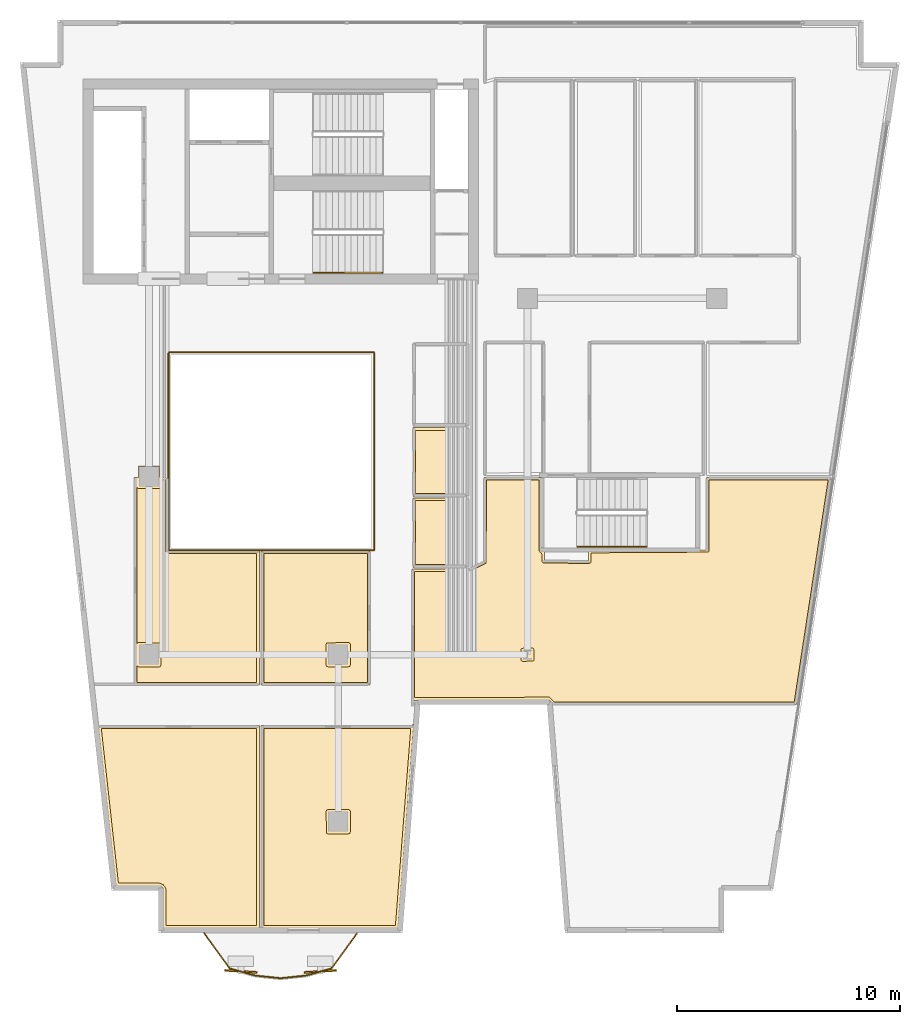
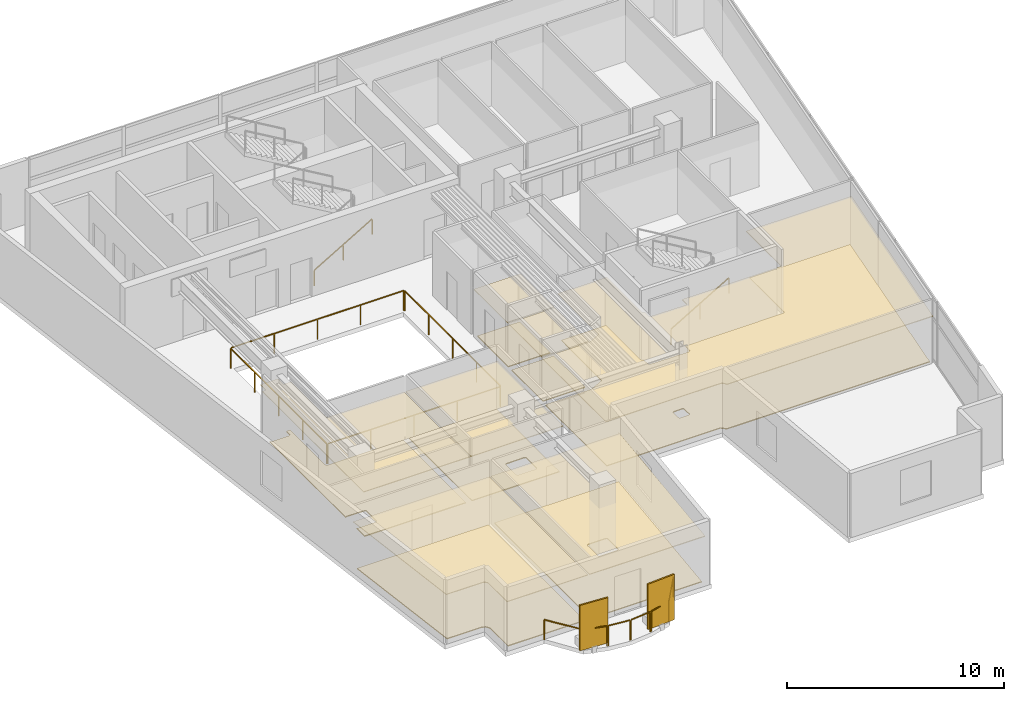
# One storey, part 7 of 8: 14 coverings, 12 railings, 2 shading devices.
"""IFC4 building model written with IfcOpenShell, lengths in metres."""

import ifcopenshell
import ifcopenshell.guid

model = None  # the IFC model being written
_history = None  # IfcOwnerHistory: only IFC2X3 demands one
_inside = {}  # id of a spatial element -> (the spatial element, [elements in it])
_under = {}  # id of a project, library or spatial element -> (it, [spatial elements below it])
_declared = {}  # id of a project -> (the project, [libraries it declares])
_typed = {}  # id of a type object -> (the type object, [elements of that type])
_made_of = {}  # id of a material, layer set ... -> (it, [elements and type objects made of it])


def new_model(schema):
    """Start an empty IFC model of exactly this schema.

    Asked for "IFC4X3", IfcOpenShell would pick the latest addendum, in which some entities
    have other attributes; the version numbers below select the first issue.
    IFC2X3 requires an IfcOwnerHistory on every rooted entity: one is made here for all.
    """
    global model, _history
    if schema == "IFC4X3":
        model = ifcopenshell.file(schema_version=(4, 3, 0, 0))
    else:
        model = ifcopenshell.file(schema=schema)
    _inside.clear()
    _under.clear()
    _declared.clear()
    _typed.clear()
    _made_of.clear()
    _history = None
    if model.schema == "IFC2X3":
        org = make("IfcOrganization", Name="unknown")
        user = make(
            "IfcPersonAndOrganization",
            ThePerson=make("IfcPerson", FamilyName="unknown"),
            TheOrganization=org,
        )
        app = make(
            "IfcApplication",
            ApplicationDeveloper=org,
            Version="unknown",
            ApplicationFullName="unknown",
            ApplicationIdentifier="unknown",
        )
        _history = make(
            "IfcOwnerHistory",
            OwningUser=user,
            OwningApplication=app,
            ChangeAction="ADDED",
            CreationDate=0,
        )
    return model


def make(cls, **values):
    """One entity of the class cls with the attributes given. An attribute that is None is left unset."""
    return model.create_entity(
        cls, **{name: value for name, value in values.items() if value is not None}
    )


def rooted(cls, **values):
    """An entity with a GlobalId (a new one), such as an element, a storey or a relation."""
    return make(cls, GlobalId=ifcopenshell.guid.new(), OwnerHistory=_history, **values)


def si_unit(unit_type, name, prefix=None):
    """IfcSIUnit, for example si_unit("LENGTHUNIT", "METRE", prefix="MILLI")."""
    return make("IfcSIUnit", UnitType=unit_type, Prefix=prefix, Name=name)


def assignment(units):
    """IfcUnitAssignment: the units of a project."""
    return None if units is None else make("IfcUnitAssignment", Units=units)


def point(xyz):
    """IfcCartesianPoint."""
    return None if xyz is None else make("IfcCartesianPoint", Coordinates=xyz)


def direction(xyz):
    """IfcDirection."""
    return None if xyz is None else make("IfcDirection", DirectionRatios=xyz)


def frame(location, z_axis=None, x_axis=None):
    """IfcAxis2Placement3D, a coordinate frame: its origin and axes. An axis left out is left unset."""
    return make(
        "IfcAxis2Placement3D",
        Location=point(location),
        Axis=direction(z_axis),
        RefDirection=direction(x_axis),
    )


def frame_2d(location, x_axis=None):
    """IfcAxis2Placement2D, a coordinate frame in the plane: its origin and x axis."""
    return make(
        "IfcAxis2Placement2D", Location=point(location), RefDirection=direction(x_axis)
    )


def origin():
    """The frame at (0, 0, 0) with its axes left unset."""
    return frame((0.0, 0.0, 0.0))


def origin_2d():
    """The frame at (0, 0) in the plane with its x axis left unset."""
    return frame_2d((0.0, 0.0))


def place(relative_to, where):
    """IfcLocalPlacement: puts the frame where relative to a parent placement (None: the world)."""
    return make(
        "IfcLocalPlacement", PlacementRelTo=relative_to, RelativePlacement=where
    )


def context(
    kind, dimensions, precision=None, world=None, true_north=None, identifier=None
):
    """IfcGeometricRepresentationContext, for example the 3D "Model" context."""
    return make(
        "IfcGeometricRepresentationContext",
        ContextIdentifier=identifier,
        ContextType=kind,
        CoordinateSpaceDimension=dimensions,
        Precision=precision,
        WorldCoordinateSystem=world,
        TrueNorth=true_north,
    )


def subcontext(parent, identifier, kind, view, scale=None):
    """IfcGeometricRepresentationSubContext, for example "Body" below "Model"."""
    return make(
        "IfcGeometricRepresentationSubContext",
        ContextIdentifier=identifier,
        ContextType=kind,
        ParentContext=parent,
        TargetScale=scale,
        TargetView=view,
    )


def project(units=None, contexts=None):
    """IfcProject with its units and contexts."""
    return rooted(
        "IfcProject",
        Name="project",
        RepresentationContexts=contexts,
        UnitsInContext=assignment(units),
    )


def spatial(cls, under=None, at=None, **own):
    """A site, building, storey or space (cls), placed at a placement, below another one or the project."""
    s = rooted(cls, ObjectPlacement=at, **own)
    if under is not None:
        _under.setdefault(under.id(), (under, []))[1].append(s)
    return s


def polyline(points):
    """IfcPolyline through the points."""
    return make("IfcPolyline", Points=[point(p) for p in points])


def profile(cls, at=None, kind="AREA", **sizes):
    """A parametric profile (cls). Its sizes go by their IFC names, for example OverallWidth=200.0."""
    return make(cls, ProfileType=kind, Position=at, **sizes)


def rectangle(**sizes):
    """IfcRectangleProfileDef."""
    return profile("IfcRectangleProfileDef", **sizes)


def outline(outer, holes=None, kind="AREA"):
    """IfcArbitraryClosedProfileDef: a profile drawn as a closed curve; with holes, ...WithVoids."""
    if holes is None:
        return make("IfcArbitraryClosedProfileDef", ProfileType=kind, OuterCurve=outer)
    return make(
        "IfcArbitraryProfileDefWithVoids",
        ProfileType=kind,
        OuterCurve=outer,
        InnerCurves=holes,
    )


def extrude(swept, where, along, depth):
    """IfcExtrudedAreaSolid: the profile swept, set in the frame where, extruded along a direction by depth."""
    return make(
        "IfcExtrudedAreaSolid",
        SweptArea=swept,
        Position=where,
        ExtrudedDirection=direction(along),
        Depth=depth,
    )


def shape(context_of_items, identifier, shape_type, items):
    """IfcShapeRepresentation: the items that make up one representation, for example the "Body"."""
    return make(
        "IfcShapeRepresentation",
        ContextOfItems=context_of_items,
        RepresentationIdentifier=identifier,
        RepresentationType=shape_type,
        Items=items,
    )


def material(Name=None, Category=None):
    """IfcMaterial."""
    return make("IfcMaterial", Name=Name, Category=Category)


def layer(
    of_material, thickness, ventilated=None, Name=None, Category=None, Priority=None
):
    """IfcMaterialLayer: one layer of a wall or slab, of a material (None: an air gap)."""
    return make(
        "IfcMaterialLayer",
        Material=of_material,
        LayerThickness=thickness,
        IsVentilated=ventilated,
        Name=Name,
        Category=Category,
        Priority=Priority,
    )


def layer_set(layers, Name=None):
    """IfcMaterialLayerSet."""
    return make("IfcMaterialLayerSet", MaterialLayers=layers, LayerSetName=Name)


def made_of(thing, what):
    """Note that an element or type object is made of a material, layer set ...; save() writes the relation."""
    if what is not None:
        _made_of.setdefault(what.id(), (what, []))[1].append(thing)
    return thing


def type_object(cls, material=None, **own):
    """A type object (cls), such as IfcWallType, which elements share."""
    return made_of(rooted(cls, **own), material)


def element(
    cls,
    number,
    at=None,
    inside=None,
    cuts=None,
    type_object=None,
    material=None,
    context=None,
    identifier="Body",
    shape_type=None,
    held_by="IfcProductDefinitionShape",
    body=None,
    shapes=None,
    **own,
):
    """One element of the class cls, such as IfcWall. Its Tag is "e" and its number.

    at: its placement. inside: the storey or other place that contains it. cuts: it is an
    opening in that element (IfcRelVoidsElement). A single representation is given by context,
    identifier, shape_type and body (its items); several are given by shapes. held_by: the class
    of the entity that holds the representations. save() writes the other relations.
    """
    e = rooted(cls, Tag="e%d" % number, ObjectPlacement=at, **own)
    if body is not None:
        shapes = [shape(context, identifier, shape_type, body)]
    if shapes is not None:
        e.Representation = make(held_by, Representations=shapes)
    if inside is not None:
        _inside.setdefault(inside.id(), (inside, []))[1].append(e)
    if cuts is not None:
        rooted(
            "IfcRelVoidsElement", RelatingBuildingElement=cuts, RelatedOpeningElement=e
        )
    if type_object is not None:
        _typed.setdefault(type_object.id(), (type_object, []))[1].append(e)
    return made_of(e, material)


def aggregate(whole, parts):
    """IfcRelAggregates: a whole, such as a stair, and the parts it consists of."""
    return rooted("IfcRelAggregates", RelatingObject=whole, RelatedObjects=parts)


def save(model, path):
    """Write the relations noted so far, then the file.

    IfcRelAggregates (storeys below a building ...), IfcRelContainedInSpatialStructure (elements
    in a storey), IfcRelDefinesByType, IfcRelAssociatesMaterial and IfcRelDeclares: one each for
    every whole, place, type object, material and project.
    """
    for whole, parts in _under.values():
        aggregate(whole, parts)
    for where, things in _inside.values():
        rooted(
            "IfcRelContainedInSpatialStructure",
            RelatedElements=things,
            RelatingStructure=where,
        )
    for kind, things in _typed.values():
        rooted("IfcRelDefinesByType", RelatedObjects=things, RelatingType=kind)
    for what, things in _made_of.values():
        rooted("IfcRelAssociatesMaterial", RelatedObjects=things, RelatingMaterial=what)
    for by, libraries in _declared.values():
        rooted("IfcRelDeclares", RelatingContext=by, RelatedDefinitions=libraries)
    model.write(path)


model = new_model("IFC4")

# Units and contexts
model_context = context("Model", 3, precision=1e-05, world=origin(), true_north=direction((0.0, 1.0)))
body_context = subcontext(model_context, "Body", "Model", "MODEL_VIEW")
ifc_project = project(units=[si_unit("LENGTHUNIT", "METRE"), si_unit("AREAUNIT", "SQUARE_METRE"), si_unit("VOLUMEUNIT", "CUBIC_METRE"), si_unit("PLANEANGLEUNIT", "RADIAN"), si_unit("MASSUNIT", "GRAM", prefix="KILO")], contexts=[model_context])

# Site, building, storey
site_placement = place(None, origin())
site = spatial("IfcSite", under=ifc_project, at=site_placement, CompositionType="ELEMENT")
building_placement = place(site_placement, origin())
building = spatial("IfcBuilding", under=site, at=building_placement, Name="Caeloran Harvest Quay", CompositionType="ELEMENT")
storey_placement = place(building_placement, frame((0.0, 0.0, 246.949951171875)))
storey = spatial("IfcBuildingStorey", under=building, at=storey_placement, Name="L59", CompositionType="ELEMENT", Elevation=246.949951171875)

# Coverings
ifc_material_1 = material(Name="Perforated Mineral-Fibre Acoustic Ceiling Tile", Category="ceiling")
ifc_layer_1 = layer(ifc_material_1, 0.0400390625, Name="Perforated Mineral-Fibre Acoustic Ceiling Tile")
ifc_layer_set_1 = layer_set([ifc_layer_1], Name="Perforated Mineral-Fibre Acoustic Ceiling Tile")
covering_type_1 = type_object("IfcCoveringType", Name="COV-CEILING-ACOUSTIC", PredefinedType="CEILING", material=ifc_layer_set_1)
covering_1_placement = place(storey_placement, frame((0.0, 0.0, 2.60009765625)))
element("IfcCovering", 1, at=covering_1_placement, inside=storey, type_object=covering_type_1, Name="L59 Female Washroom WC Acoustic Ceiling", PredefinedType="CEILING", context=body_context, shape_type="SweptSolid", body=[
    extrude(outline(polyline([(22.840087890625, 25.18994140625), (22.840087890625, 22.110107421875), (20.360107421875, 22.110107421875), (20.360107421875, 25.18994140625), (22.840087890625, 25.18994140625)])), origin(), (0.0, 0.0, 1.0), 0.0400390625),
])
covering_2_placement = place(storey_placement, frame((0.0, 0.0, 2.60009765625)))
element("IfcCovering", 2, at=covering_2_placement, inside=storey, type_object=covering_type_1, Name="L59 Accessible Unisex Washroom WC Acoustic Ceiling", PredefinedType="CEILING", context=body_context, shape_type="SweptSolid", body=[
    extrude(outline(polyline([(22.840087890625, 22.0400390625), (22.840087890625, 18.919921875), (20.360107421875, 18.919921875), (20.360107421875, 22.0400390625), (22.840087890625, 22.0400390625)])), origin(), (0.0, 0.0, 1.0), 0.0400390625),
])
covering_3_placement = place(storey_placement, frame((0.0, 0.0, 2.60009765625)))
element("IfcCovering", 3, at=covering_3_placement, inside=storey, type_object=covering_type_1, Name="Sustainable Urbanism Advisory Office Acoustic Ceiling", PredefinedType="CEILING", context=body_context, shape_type="SweptSolid", body=[
    extrude(outline(polyline([(13.5400390625, 11.81005859375), (20.31494140625, 11.81005859375), (20.394287109375, 11.9169921875), (19.680419921875, 2.719970703125), (13.5400390625, 2.719970703125), (13.5400390625, 11.81005859375)])), origin(), (0.0, 0.0, 1.0), 0.0400390625),
])
covering_4_placement = place(storey_placement, frame((0.0, 0.0, 2.60009765625)))
element("IfcCovering", 4, at=covering_4_placement, inside=storey, type_object=covering_type_1, Name="GIS Spatial Modelling Lab Acoustic Ceiling", PredefinedType="CEILING", context=body_context, shape_type="SweptSolid", body=[
    extrude(outline(polyline([(9.13916015625, 4.484130859375), (9.075439453125, 4.570068359375), (8.95751953125, 4.618896484375), (7.022705078125, 4.6201171875), (6.227294921875, 11.81005859375), (13.4599609375, 11.81005859375), (13.4599609375, 2.719970703125), (9.156005859375, 2.719970703125), (9.156005859375, 4.39892578125), (9.13916015625, 4.484130859375)])), origin(), (0.0, 0.0, 1.0), 0.0400390625),
])
covering_5_placement = place(storey_placement, frame((0.0, 0.0, 2.60009765625)))
element("IfcCovering", 5, at=covering_5_placement, inside=storey, type_object=covering_type_1, Name="Director Office Acoustic Ceiling", PredefinedType="CEILING", context=body_context, shape_type="SweptSolid", body=[
    extrude(outline(polyline([(18.429931640625, 13.639892578125), (13.5400390625, 13.639892578125), (13.5400390625, 19.659912109375), (18.429931640625, 19.659912109375), (18.429931640625, 13.639892578125)])), origin(), (0.0, 0.0, 1.0), 0.0400390625),
])
covering_6_placement = place(storey_placement, frame((0.0, 0.0, 2.60009765625)))
element("IfcCovering", 6, at=covering_6_placement, inside=storey, type_object=covering_type_1, Name="Client Review Meeting Room Acoustic Ceiling", PredefinedType="CEILING", context=body_context, shape_type="SweptSolid", body=[
    extrude(outline(polyline([(33.5400390625, 19.71044921875), (33.5400390625, 22.9599609375), (39.139404296875, 22.9599609375), (37.5810546875, 12.760009765625), (26.641845703125, 12.760009765625), (26.5556640625, 12.887451171875), (26.455810546875, 12.969970703125), (20.68505859375, 12.969970703125), (20.59326171875, 12.95068359375), (20.31005859375, 12.949951171875), (20.31005859375, 18.85009765625), (22.87353515625, 18.85009765625), (23.5400390625, 19.184814453125), (23.5400390625, 22.9599609375), (26.139892578125, 22.9599609375), (26.139892578125, 19.69921875), (26.260009765625, 19.604248046875), (26.260009765625, 19.239501953125), (28.239990234375, 19.210693359375), (28.239990234375, 19.689697265625), (33.5400390625, 19.71044921875)])), origin(), (0.0, 0.0, 1.0), 0.0400390625),
])
covering_7_placement = place(storey_placement, frame((0.0, 0.0, 2.60009765625)))
element("IfcCovering", 7, at=covering_7_placement, inside=storey, type_object=covering_type_1, Name="Terrace Cafe Kitchen Acoustic Ceiling", PredefinedType="CEILING", context=body_context, shape_type="SweptSolid", body=[
    extrude(outline(polyline([(13.4599609375, 13.639892578125), (7.840087890625, 13.639892578125), (7.840087890625, 22.9599609375), (8.030029296875, 22.9599609375), (8.030029296875, 23.469970703125), (8.969970703125, 23.469970703125), (8.969970703125, 22.9599609375), (9.360107421875, 22.9599609375), (9.360107421875, 19.659912109375), (13.4599609375, 19.659912109375), (13.4599609375, 13.639892578125)])), origin(), (0.0, 0.0, 1.0), 0.0400390625),
])
ifc_material_2 = material(Name="Calcium-Sulphate Raised Access Floor and Terrazzo Finish", Category="flooring")
ifc_layer_2 = layer(ifc_material_2, 0.050048828125, Name="Calcium-Sulphate Raised Access Floor and Terrazzo Finish")
ifc_layer_set_2 = layer_set([ifc_layer_2], Name="Calcium-Sulphate Raised Access Floor and Terrazzo Finish")
covering_type_2 = type_object("IfcCoveringType", Name="COV-FLOOR-RAISED", PredefinedType="FLOORING", material=ifc_layer_set_2)
covering_8_placement = place(storey_placement, origin())
element("IfcCovering", 8, at=covering_8_placement, inside=storey, type_object=covering_type_2, Name="L59 Female Washroom WC Raised Finish Flooring", PredefinedType="FLOORING", context=body_context, shape_type="SweptSolid", body=[
    extrude(outline(polyline([(22.719970703125, 25.070068359375), (22.719970703125, 22.22998046875), (20.47998046875, 22.22998046875), (20.47998046875, 25.070068359375), (22.719970703125, 25.070068359375)])), origin(), (0.0, 0.0, 1.0), 0.050048828125),
])
covering_9_placement = place(storey_placement, origin())
element("IfcCovering", 9, at=covering_9_placement, inside=storey, type_object=covering_type_2, Name="L59 Accessible Unisex Washroom WC Raised Finish Flooring", PredefinedType="FLOORING", context=body_context, shape_type="SweptSolid", body=[
    extrude(outline(polyline([(22.719970703125, 21.919921875), (22.719970703125, 19.0400390625), (20.47998046875, 19.0400390625), (20.47998046875, 21.919921875), (22.719970703125, 21.919921875)])), origin(), (0.0, 0.0, 1.0), 0.050048828125),
])
covering_10_placement = place(storey_placement, origin())
element("IfcCovering", 10, at=covering_10_placement, inside=storey, type_object=covering_type_2, Name="Sustainable Urbanism Advisory Office Raised Finish Flooring", PredefinedType="FLOORING", context=body_context, shape_type="SweptSolid", body=[
    extrude(outline(polyline([(13.659912109375, 2.840087890625), (13.659912109375, 11.68994140625), (20.256591796875, 11.68994140625), (19.569580078125, 2.840087890625), (13.659912109375, 2.840087890625)]), holes=[polyline([(16.455078125, 7.965087890625), (16.47314453125, 6.984130859375), (16.527099609375, 6.955322265625), (17.465087890625, 6.955078125), (17.521484375, 6.978515625), (17.544921875, 7.034912109375), (17.544921875, 7.965087890625), (17.521484375, 8.021484375), (17.465087890625, 8.044921875), (16.534912109375, 8.044921875), (16.478515625, 8.021484375), (16.455078125, 7.965087890625)])]), origin(), (0.0, 0.0, 1.0), 0.050048828125),
])
covering_11_placement = place(storey_placement, origin())
element("IfcCovering", 11, at=covering_11_placement, inside=storey, type_object=covering_type_2, Name="GIS Spatial Modelling Lab Raised Finish Flooring", PredefinedType="FLOORING", context=body_context, shape_type="SweptSolid", body=[
    extrude(outline(polyline([(9.25146484375, 4.5263671875), (9.148681640625, 4.665283203125), (8.97314453125, 4.73779296875), (7.13037109375, 4.739990234375), (6.361328125, 11.68994140625), (13.340087890625, 11.68994140625), (13.340087890625, 2.840087890625), (9.27587890625, 2.840087890625), (9.27587890625, 4.39990234375), (9.25146484375, 4.5263671875)])), origin(), (0.0, 0.0, 1.0), 0.050048828125),
])
covering_12_placement = place(storey_placement, origin())
element("IfcCovering", 12, at=covering_12_placement, inside=storey, type_object=covering_type_2, Name="Director Office Raised Finish Flooring", PredefinedType="FLOORING", context=body_context, shape_type="SweptSolid", body=[
    extrude(outline(polyline([(18.31005859375, 19.5400390625), (18.31005859375, 13.760009765625), (13.659912109375, 13.760009765625), (13.659912109375, 19.5400390625), (18.31005859375, 19.5400390625)]), holes=[polyline([(17.465087890625, 15.544921875), (16.484130859375, 15.52685546875), (16.455322265625, 15.472900390625), (16.455078125, 14.534912109375), (16.478515625, 14.478515625), (16.534912109375, 14.455078125), (17.465087890625, 14.455078125), (17.521484375, 14.478515625), (17.544921875, 14.534912109375), (17.544921875, 15.465087890625), (17.521484375, 15.521484375), (17.465087890625, 15.544921875)])]), origin(), (0.0, 0.0, 1.0), 0.050048828125),
])
covering_13_placement = place(storey_placement, origin())
element("IfcCovering", 13, at=covering_13_placement, inside=storey, type_object=covering_type_2, Name="Client Review Meeting Room Raised Finish Flooring", PredefinedType="FLOORING", context=body_context, shape_type="SweptSolid", body=[
    extrude(outline(polyline([(26.697998046875, 12.8798828125), (26.4736328125, 13.090087890625), (20.429931640625, 13.0703125), (20.429931640625, 18.72998046875), (22.890380859375, 18.73046875), (23.64111328125, 19.1083984375), (23.659912109375, 22.840087890625), (26.02001953125, 22.840087890625), (26.02001953125, 19.679931640625), (26.038818359375, 19.62841796875), (26.139892578125, 19.54638671875), (26.1533203125, 19.156005859375), (26.21875, 19.1201171875), (28.27880859375, 19.090087890625), (28.3583984375, 19.154296875), (28.360107421875, 19.5703125), (33.62451171875, 19.604248046875), (33.659912109375, 19.670654296875), (33.659912109375, 22.840087890625), (38.99951171875, 22.840087890625), (37.477783203125, 12.8798828125), (26.697998046875, 12.8798828125)]), holes=[polyline([(25.725830078125, 15.302490234375), (25.231201171875, 15.284912109375), (25.202392578125, 15.230712890625), (25.22021484375, 14.726318359375), (25.281982421875, 14.697021484375), (25.768798828125, 14.715087890625), (25.798095703125, 14.777099609375), (25.77978515625, 15.273681640625), (25.725830078125, 15.302490234375)])]), origin(), (0.0, 0.0, 1.0), 0.050048828125),
])
covering_14_placement = place(storey_placement, origin())
element("IfcCovering", 14, at=covering_14_placement, inside=storey, type_object=covering_type_2, Name="Terrace Cafe Kitchen Raised Finish Flooring", PredefinedType="FLOORING", context=body_context, shape_type="SweptSolid", body=[
    extrude(outline(polyline([(7.9599609375, 14.50732421875), (8.027099609375, 14.455322265625), (8.965087890625, 14.455078125), (9.021484375, 14.478515625), (9.044921875, 14.534912109375), (9.044921875, 15.465087890625), (9.015869140625, 15.52685546875), (8.034912109375, 15.544921875), (7.9599609375, 15.49267578125), (7.9599609375, 22.50732421875), (8.034912109375, 22.455078125), (8.98828125, 22.45849609375), (9.04345703125, 22.519287109375), (9.044921875, 22.840087890625), (9.239990234375, 22.840087890625), (9.239990234375, 19.64990234375), (9.283203125, 19.5625), (9.35009765625, 19.5400390625), (13.340087890625, 19.5400390625), (13.340087890625, 13.760009765625), (7.9599609375, 13.760009765625), (7.9599609375, 14.50732421875)])), origin(), (0.0, 0.0, 1.0), 0.050048828125),
])

# Railings
ifc_material_3 = material(Name="Powder-Coated Steel Post and Laminated Glass Guardrail", Category="steel")
ifc_layer_3 = layer(ifc_material_3, 0.06005859375, Name="Powder-Coated Steel Post and Laminated Glass Guardrail")
ifc_layer_set_3 = layer_set([ifc_layer_3], Name="Powder-Coated Steel Post and Laminated Glass Guardrail")
railing_type_1 = type_object("IfcRailingType", Name="GUARD-ATRIUM-1150", PredefinedType="GUARDRAIL", material=ifc_layer_set_3)
railing_1_placement = place(storey_placement, frame((9.412109375, 19.679931640625, 0.0)))
element("IfcRailing", 15, at=railing_1_placement, inside=storey, type_object=railing_type_1, Name="L59 Skylit Atrium Void Perimeter Guardrail Seg 1", PredefinedType="GUARDRAIL", context=body_context, shape_type="SweptSolid", body=[
    extrude(rectangle(XDim=0.048095703125, YDim=0.048095703125, at=origin_2d()), frame((0.0, 0.0, 1.1259765625), z_axis=(1.0, 0.0, 0.0), x_axis=(0.0, 1.0, 0.0)), (0.0, 0.0, 1.0), 9.17578125),
    extrude(rectangle(XDim=0.0419921875, YDim=0.0419921875, at=origin_2d()), origin(), (0.0, 0.0, 1.0), 1.101806640625),
    extrude(rectangle(XDim=0.0419921875, YDim=0.0419921875, at=origin_2d()), frame((2.2939453125, 0.0, 0.0)), (0.0, 0.0, 1.0), 1.101806640625),
    extrude(rectangle(XDim=0.0419921875, YDim=0.0419921875, at=origin_2d()), frame((4.587890625, 0.0, 0.0)), (0.0, 0.0, 1.0), 1.101806640625),
    extrude(rectangle(XDim=0.0419921875, YDim=0.0419921875, at=origin_2d()), frame((6.8818359375, 0.0, 0.0)), (0.0, 0.0, 1.0), 1.101806640625),
    extrude(rectangle(XDim=0.0419921875, YDim=0.0419921875, at=origin_2d()), frame((9.17578125, 0.0, 0.0)), (0.0, 0.0, 1.0), 1.101806640625),
])
railing_2_placement = place(storey_placement, frame((18.6201171875, 19.7119140625, 0.0)))
element("IfcRailing", 16, at=railing_2_placement, inside=storey, type_object=railing_type_1, Name="L59 Skylit Atrium Void Perimeter Guardrail Seg 2", PredefinedType="GUARDRAIL", context=body_context, shape_type="SweptSolid", body=[
    extrude(rectangle(XDim=0.048095703125, YDim=0.048095703125, at=origin_2d()), frame((0.0, 0.0, 1.1259765625), z_axis=(0.0, 1.0, 0.0), x_axis=(-1.0, 0.0, 0.0)), (0.0, 0.0, 1.0), 8.826171875),
    extrude(rectangle(XDim=0.0419921875, YDim=0.0419921875, at=origin_2d()), origin(), (0.0, 0.0, 1.0), 1.101806640625),
    extrude(rectangle(XDim=0.0419921875, YDim=0.0419921875, at=origin_2d()), frame((0.0, 2.20654296875, 0.0)), (0.0, 0.0, 1.0), 1.101806640625),
    extrude(rectangle(XDim=0.0419921875, YDim=0.0419921875, at=origin_2d()), frame((0.0, 4.4130859375, 0.0)), (0.0, 0.0, 1.0), 1.101806640625),
    extrude(rectangle(XDim=0.0419921875, YDim=0.0419921875, at=origin_2d()), frame((0.0, 6.61962890625, 0.0)), (0.0, 0.0, 1.0), 1.101806640625),
    extrude(rectangle(XDim=0.0419921875, YDim=0.0419921875, at=origin_2d()), frame((0.0, 8.826171875, 0.0)), (0.0, 0.0, 1.0), 1.101806640625),
])
railing_3_placement = place(storey_placement, frame((18.587890625, 28.570068359375, 0.0)))
element("IfcRailing", 17, at=railing_3_placement, inside=storey, type_object=railing_type_1, Name="L59 Skylit Atrium Void Perimeter Guardrail Seg 3", PredefinedType="GUARDRAIL", context=body_context, shape_type="SweptSolid", body=[
    extrude(rectangle(XDim=0.048095703125, YDim=0.048095703125, at=origin_2d()), frame((0.0, 0.0, 1.1259765625), z_axis=(-1.0, 0.0, 0.0), x_axis=(0.0, -1.0, 0.0)), (0.0, 0.0, 1.0), 9.17578125),
    extrude(rectangle(XDim=0.0419921875, YDim=0.0419921875, at=origin_2d()), origin(), (0.0, 0.0, 1.0), 1.101806640625),
    extrude(rectangle(XDim=0.0419921875, YDim=0.0419921875, at=origin_2d()), frame((-2.2939453125, 0.0, 0.0)), (0.0, 0.0, 1.0), 1.101806640625),
    extrude(rectangle(XDim=0.0419921875, YDim=0.0419921875, at=origin_2d()), frame((-4.587890625, 0.0, 0.0)), (0.0, 0.0, 1.0), 1.101806640625),
    extrude(rectangle(XDim=0.0419921875, YDim=0.0419921875, at=origin_2d()), frame((-6.8818359375, 0.0, 0.0)), (0.0, 0.0, 1.0), 1.101806640625),
    extrude(rectangle(XDim=0.0419921875, YDim=0.0419921875, at=origin_2d()), frame((-9.17578125, 0.0, 0.0)), (0.0, 0.0, 1.0), 1.101806640625),
])
railing_4_placement = place(storey_placement, frame((9.3798828125, 28.5380859375, 0.0)))
element("IfcRailing", 18, at=railing_4_placement, inside=storey, type_object=railing_type_1, Name="L59 Skylit Atrium Void Perimeter Guardrail Seg 4", PredefinedType="GUARDRAIL", context=body_context, shape_type="SweptSolid", body=[
    extrude(rectangle(XDim=0.048095703125, YDim=0.048095703125, at=origin_2d()), frame((0.0, 0.0, 1.1259765625), z_axis=(0.0, -1.0, 0.0), x_axis=(1.0, 0.0, 0.0)), (0.0, 0.0, 1.0), 8.826171875),
    extrude(rectangle(XDim=0.0419921875, YDim=0.0419921875, at=origin_2d()), origin(), (0.0, 0.0, 1.0), 1.101806640625),
    extrude(rectangle(XDim=0.0419921875, YDim=0.0419921875, at=origin_2d()), frame((0.0, -2.20654296875, 0.0)), (0.0, 0.0, 1.0), 1.101806640625),
    extrude(rectangle(XDim=0.0419921875, YDim=0.0419921875, at=origin_2d()), frame((0.0, -4.4130859375, 0.0)), (0.0, 0.0, 1.0), 1.101806640625),
    extrude(rectangle(XDim=0.0419921875, YDim=0.0419921875, at=origin_2d()), frame((0.0, -6.61962890625, 0.0)), (0.0, 0.0, 1.0), 1.101806640625),
    extrude(rectangle(XDim=0.0419921875, YDim=0.0419921875, at=origin_2d()), frame((0.0, -8.826171875, 0.0)), (0.0, 0.0, 1.0), 1.101806640625),
])
ifc_material_4 = material(Name="Laminated Safety Glass and Stainless Steel 316", Category="steel")
ifc_layer_4 = layer(ifc_material_4, 0.06005859375, Name="Laminated Safety Glass and Stainless Steel 316")
ifc_layer_set_4 = layer_set([ifc_layer_4], Name="Laminated Safety Glass and Stainless Steel 316")
railing_type_2 = type_object("IfcRailingType", Name="GUARD-BALUSTRADE-1150", PredefinedType="BALUSTRADE", material=ifc_layer_set_4)
railing_5_placement = place(storey_placement, frame((17.843994140625, 2.47998046875, 0.0)))
element("IfcRailing", 19, at=railing_5_placement, inside=storey, type_object=railing_type_2, Name="L59 Planted Balcony Perimeter Balustrade Guard Seg 1", PredefinedType="BALUSTRADE", context=body_context, shape_type="SweptSolid", body=[
    extrude(rectangle(XDim=0.048095703125, YDim=0.048095703125, at=origin_2d()), frame((0.0, 0.0, 1.1259765625), z_axis=(-0.588551517232, -0.808459715486, 0.0), x_axis=(0.808459715486, -0.588551517232, 0.0)), (0.0, 0.0, 1.0), 1.91064453125),
    extrude(rectangle(XDim=0.0419921875, YDim=0.0419921875, at=origin_2d()), origin(), (0.0, 0.0, 1.0), 1.101806640625),
    extrude(rectangle(XDim=0.0419921875, YDim=0.0419921875, at=origin_2d()), frame((-1.12451171875, -1.544677734375, 0.0)), (0.0, 0.0, 1.0), 1.101806640625),
])
railing_6_placement = place(storey_placement, frame((16.669921875, 0.90087890625, 0.0)))
element("IfcRailing", 20, at=railing_6_placement, inside=storey, type_object=railing_type_2, Name="L59 Planted Balcony Perimeter Balustrade Guard Seg 2", PredefinedType="BALUSTRADE", context=body_context, shape_type="SweptSolid", body=[
    extrude(rectangle(XDim=0.048095703125, YDim=0.048095703125, at=origin_2d()), frame((0.0, 0.0, 1.1259765625), z_axis=(-0.962420562565, -0.271563364155, 0.0), x_axis=(0.271563364155, -0.962420562565, 0.0)), (0.0, 0.0, 1.0), 1.123779296875),
    extrude(rectangle(XDim=0.0419921875, YDim=0.0419921875, at=origin_2d()), origin(), (0.0, 0.0, 1.0), 1.101806640625),
    extrude(rectangle(XDim=0.0419921875, YDim=0.0419921875, at=origin_2d()), frame((-1.08154296875, -0.30517578125, 0.0)), (0.0, 0.0, 1.0), 1.101806640625),
])
railing_7_placement = place(storey_placement, frame((15.52587890625, 0.583740234375, 0.0)))
element("IfcRailing", 21, at=railing_7_placement, inside=storey, type_object=railing_type_2, Name="L59 Planted Balcony Perimeter Balustrade Guard Seg 3", PredefinedType="BALUSTRADE", context=body_context, shape_type="SweptSolid", body=[
    extrude(rectangle(XDim=0.048095703125, YDim=0.048095703125, at=origin_2d()), frame((0.0, 0.0, 1.1259765625), z_axis=(-0.994725087, -0.102576806801, 0.0), x_axis=(0.102576806801, -0.994725087, 0.0)), (0.0, 0.0, 1.0), 1.085205078125),
    extrude(rectangle(XDim=0.0419921875, YDim=0.0419921875, at=origin_2d()), origin(), (0.0, 0.0, 1.0), 1.101806640625),
    extrude(rectangle(XDim=0.0419921875, YDim=0.0419921875, at=origin_2d()), frame((-1.07958984375, -0.111328125, 0.0)), (0.0, 0.0, 1.0), 1.101806640625),
])
railing_8_placement = place(storey_placement, frame((14.3828125, 0.472412109375, 0.0)))
element("IfcRailing", 22, at=railing_8_placement, inside=storey, type_object=railing_type_2, Name="L59 Planted Balcony Perimeter Balustrade Guard Seg 4", PredefinedType="BALUSTRADE", context=body_context, shape_type="SweptSolid", body=[
    extrude(rectangle(XDim=0.048095703125, YDim=0.048095703125, at=origin_2d()), frame((0.0, 0.0, 1.1259765625), z_axis=(-0.994727453121, 0.10255385906, 0.0), x_axis=(-0.10255385906, -0.994727453121, 0.0)), (0.0, 0.0, 1.0), 1.08544921875),
    extrude(rectangle(XDim=0.0419921875, YDim=0.0419921875, at=origin_2d()), origin(), (0.0, 0.0, 1.0), 1.101806640625),
    extrude(rectangle(XDim=0.0419921875, YDim=0.0419921875, at=origin_2d()), frame((-1.079833984375, 0.111328125, 0.0)), (0.0, 0.0, 1.0), 1.101806640625),
])
railing_9_placement = place(storey_placement, frame((13.240478515625, 0.595703125, 0.0)))
element("IfcRailing", 23, at=railing_9_placement, inside=storey, type_object=railing_type_2, Name="L59 Planted Balcony Perimeter Balustrade Guard Seg 5", PredefinedType="BALUSTRADE", context=body_context, shape_type="SweptSolid", body=[
    extrude(rectangle(XDim=0.048095703125, YDim=0.048095703125, at=origin_2d()), frame((0.0, 0.0, 1.1259765625), z_axis=(-0.962420562565, 0.271563364155, 0.0), x_axis=(-0.271563364155, -0.962420562565, 0.0)), (0.0, 0.0, 1.0), 1.123779296875),
    extrude(rectangle(XDim=0.0419921875, YDim=0.0419921875, at=origin_2d()), origin(), (0.0, 0.0, 1.0), 1.101806640625),
    extrude(rectangle(XDim=0.0419921875, YDim=0.0419921875, at=origin_2d()), frame((-1.08154296875, 0.30517578125, 0.0)), (0.0, 0.0, 1.0), 1.101806640625),
])
railing_10_placement = place(storey_placement, frame((12.109375, 0.935302734375, 0.0)))
element("IfcRailing", 24, at=railing_10_placement, inside=storey, type_object=railing_type_2, Name="L59 Planted Balcony Perimeter Balustrade Guard Seg 6", PredefinedType="BALUSTRADE", context=body_context, shape_type="SweptSolid", body=[
    extrude(rectangle(XDim=0.048095703125, YDim=0.048095703125, at=origin_2d()), frame((0.0, 0.0, 1.1259765625), z_axis=(-0.588467990342, 0.808520515721, 0.0), x_axis=(-0.808520515721, -0.588467990342, 0.0)), (0.0, 0.0, 1.0), 1.910400390625),
    extrude(rectangle(XDim=0.0419921875, YDim=0.0419921875, at=origin_2d()), origin(), (0.0, 0.0, 1.0), 1.101806640625),
    extrude(rectangle(XDim=0.0419921875, YDim=0.0419921875, at=origin_2d()), frame((-1.124267578125, 1.544677734375, 0.0)), (0.0, 0.0, 1.0), 1.101806640625),
])

# Shading devices
ifc_material_5 = material(Name="3003-H14 Perforated Powder-Coated Aluminium", Category="aluminium")
shading_device_type = type_object("IfcShadingDeviceType", Name="SHADE-SCREEN-FOLDED", PredefinedType="USERDEFINED", material=ifc_material_5)
for number, where, z_axis, x_axis, name in (
    (25, (16.19775390625, 0.775146484375, 0.0751953125), (0.0, 0.0, 1.0), (0.997801468292, 0.0662739004, 0.0), "L59 Folded Facade Breathing Screen 1"),
    (26, (12.631103515625, 0.775146484375, 0.0751953125), (0.0, 0.0, 1.0), (0.997801468292, -0.0662739004, 0.0), "L59 Folded Facade Breathing Screen 2"),
):
    element("IfcShadingDevice", number, at=place(storey_placement, frame(where, z_axis=z_axis, x_axis=x_axis)), inside=storey, type_object=shading_device_type, Name=name, ObjectType="SCREEN", PredefinedType="USERDEFINED", context=body_context, shape_type="SweptSolid", body=[
        extrude(rectangle(XDim=1.449951171875, YDim=0.080078125, at=origin_2d()), origin(), (0.0, 0.0, 1.0), 2.550048828125),
    ])

# Railings
ifc_material_6 = material(Name="Brushed Stainless Steel Grade 304", Category="steel")
ifc_layer_5 = layer(ifc_material_6, 0.050048828125, Name="Brushed Stainless Steel Grade 304")
ifc_layer_set_5 = layer_set([ifc_layer_5], Name="Brushed Stainless Steel Grade 304")
railing_type_3 = type_object("IfcRailingType", Name="STAIR-HANDRAIL-900", PredefinedType="HANDRAIL", material=ifc_layer_set_5)
for number, where, name in (
    (27, (15.89990234375, 32.14990234375, 0.16455078125), "L59 ST-C2 stair handrail 1"),
    (28, (27.75, 19.85009765625, 0.16455078125), "L59 ST-W1 stair handrail 1"),
):
    element("IfcRailing", number, at=place(storey_placement, frame(where)), inside=storey, type_object=railing_type_3, Name=name, PredefinedType="HANDRAIL", context=body_context, shape_type="SweptSolid", body=[
        extrude(rectangle(XDim=0.048095703125, YDim=0.048095703125, at=origin_2d()), frame((0.0, 0.0, 0.8759765625), z_axis=(0.862088758681, 0.0, 0.506757310905), x_axis=(0.0, 1.0, 0.0)), (0.0, 0.0, 1.0), 3.57275390625),
        extrude(rectangle(XDim=0.0419921875, YDim=0.0419921875, at=origin_2d()), origin(), (0.0, 0.0, 1.0), 0.851806640625),
        extrude(rectangle(XDim=0.0419921875, YDim=0.0419921875, at=origin_2d()), frame((1.5400390625, 0.0, 0.9052734375)), (0.0, 0.0, 1.0), 0.851806640625),
        extrude(rectangle(XDim=0.0419921875, YDim=0.0419921875, at=origin_2d()), frame((3.080078125, 0.0, 1.810546875)), (0.0, 0.0, 1.0), 0.851806640625),
    ])

save(model, "model.ifc")
